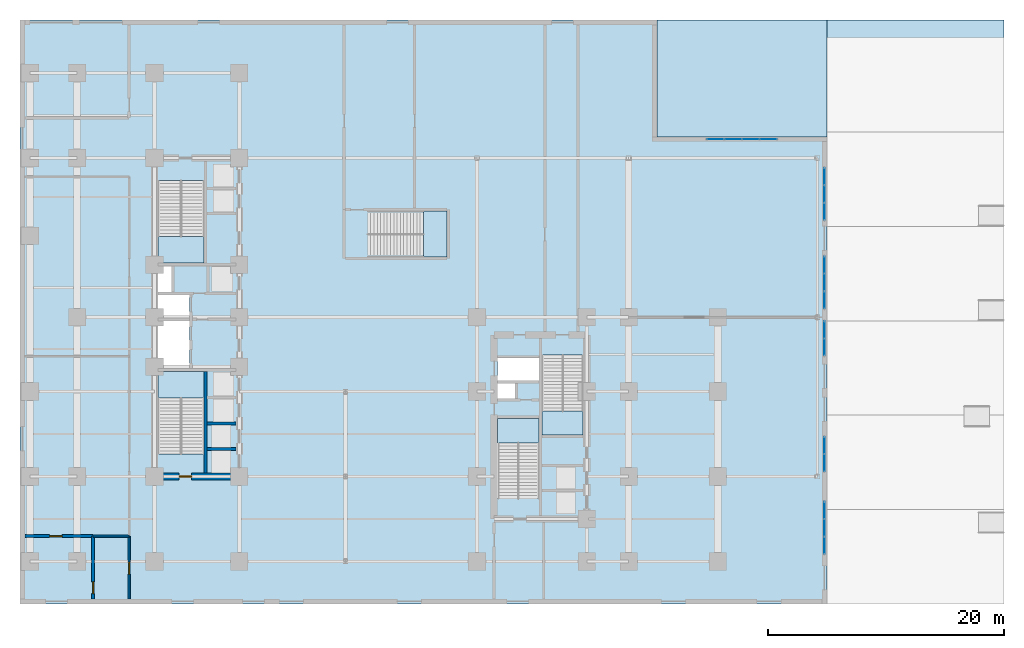
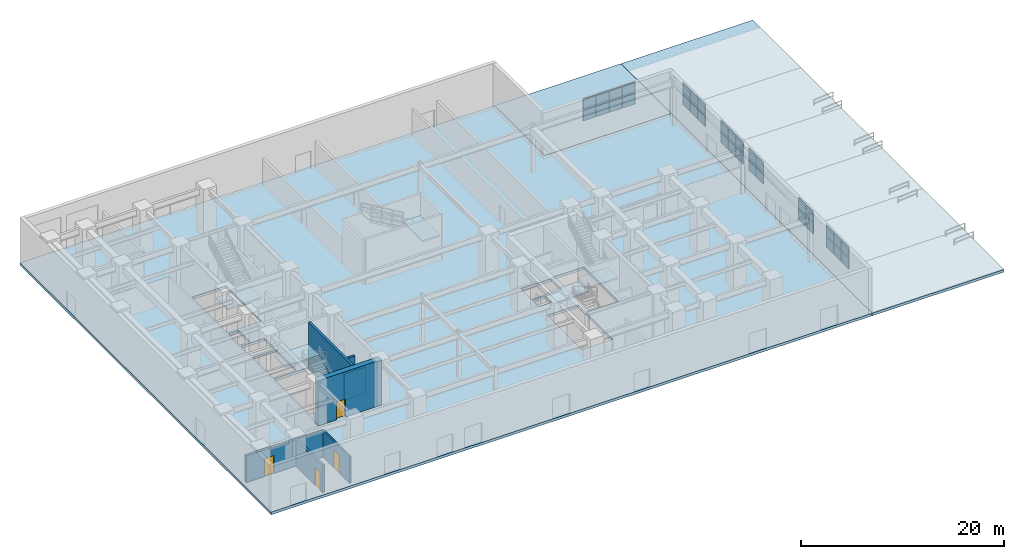
# One storey, part 9 of 18: 34 plates, 8 slabs, 8 walls, 4 doors, 4 openings, 11 elements without a shape of their own.
"""IFC4 building model written with IfcOpenShell, lengths in metres."""

from ifc_helpers import new_model, entity, si_unit, converted_unit, direction, frame, origin_with_axes, origin_2d_with_axis, place, context, subcontext, project, spatial, polyline, rectangle, outline, extrude, material, layer, layer_set, type_object, element, fill, aggregate, save


model = new_model("IFC4")

# Units and contexts
model_context = context("Model", 3, precision=1e-05, world=origin_with_axes(), true_north=direction((0.0, 1.0)))
body_context = subcontext(model_context, "Body", "Model", "MODEL_VIEW")
ifc_project = project(units=[si_unit("LENGTHUNIT", "METRE"), si_unit("AREAUNIT", "SQUARE_METRE"), si_unit("VOLUMEUNIT", "CUBIC_METRE"), converted_unit("PLANEANGLEUNIT", "DEGREE", entity("IfcPlaneAngleMeasure", 0.017453292519943295), si_unit("PLANEANGLEUNIT", "RADIAN"), dimensions=[0, 0, 0, 0, 0, 0, 0]), si_unit("MASSUNIT", "GRAM", prefix="KILO"), si_unit("THERMODYNAMICTEMPERATUREUNIT", "KELVIN")], contexts=[model_context])

# Site, building, storey
site_placement = place(None, origin_with_axes())
site = spatial("IfcSite", under=ifc_project, at=site_placement, CompositionType="ELEMENT")
building_placement = place(site_placement, origin_with_axes())
building = spatial("IfcBuilding", under=site, at=building_placement, Name="Varnlund Millrace Tower", CompositionType="ELEMENT")
storey_placement = place(building_placement, origin_with_axes())
storey = spatial("IfcBuildingStorey", under=building, at=storey_placement, Name="L00", CompositionType="ELEMENT", Elevation=0.0)

# Curtain wall, plates
ifc_material_1 = material(Name="Thermally broken architectural bronze curtain wall", Category="aluminium")
curtain_wall_type = type_object("IfcCurtainWallType", Name="Type-CW-Sys1-Concourse", PredefinedType="NOTDEFINED", material=ifc_material_1)
curtain_wall_1_placement = place(storey_placement, frame((68.19, 8.7, 2.75), z_axis=(0.0, 0.0, 1.0), x_axis=(1.0, 0.0, 0.0)))
curtain_wall_1 = element("IfcCurtainWall", 1, at=curtain_wall_1_placement, inside=storey, type_object=curtain_wall_type, Name="Type-CW-Sys1-Concourse", PredefinedType="NOTDEFINED")
ifc_material_2 = material(Name="Low-e argon triple-glazed curtain-wall unit", Category="glass")
ifc_layer_1 = layer(ifc_material_2, 0.028, Name="Low-e argon triple-glazed curtain-wall unit")
ifc_layer_set_1 = layer_set([ifc_layer_1], Name="Low-e argon triple-glazed curtain-wall unit")
plate_type = type_object("IfcPlateType", Name="Type-CW-Panel-TripleGlazed-28", PredefinedType="CURTAIN_PANEL", material=ifc_layer_set_1)
plate_1_placement = place(storey_placement, frame((68.19, 7.935, 2.81), z_axis=(0.0, 0.0, 1.0), x_axis=(0.0, -1.0, 0.0)))
plate_1 = element("IfcPlate", 2, at=plate_1_placement, type_object=plate_type, Name="CW-01 panel 1.1", PredefinedType="CURTAIN_PANEL", context=body_context, shape_type="SweptSolid", body=[
    extrude(rectangle(XDim=1.41, YDim=0.028, at=origin_2d_with_axis()), origin_with_axes(), (0.0, 0.0, 1.0), 1.265),
])
plate_2_placement = place(storey_placement, frame((68.19, 7.935, 4.135), z_axis=(0.0, 0.0, 1.0), x_axis=(0.0, -1.0, 0.0)))
plate_2 = element("IfcPlate", 3, at=plate_2_placement, type_object=plate_type, Name="CW-01 panel 1.2", PredefinedType="CURTAIN_PANEL", context=body_context, shape_type="SweptSolid", body=[
    extrude(rectangle(XDim=1.41, YDim=0.028, at=origin_2d_with_axis()), origin_with_axes(), (0.0, 0.0, 1.0), 1.265),
])
plate_3_placement = place(storey_placement, frame((68.19, 6.45, 2.81), z_axis=(0.0, 0.0, 1.0), x_axis=(0.0, -1.0, 0.0)))
plate_3 = element("IfcPlate", 4, at=plate_3_placement, type_object=plate_type, Name="CW-01 panel 2.1", PredefinedType="CURTAIN_PANEL", context=body_context, shape_type="SweptSolid", body=[
    extrude(rectangle(XDim=1.44, YDim=0.028, at=origin_2d_with_axis()), origin_with_axes(), (0.0, 0.0, 1.0), 1.265),
])
plate_4_placement = place(storey_placement, frame((68.19, 6.45, 4.135), z_axis=(0.0, 0.0, 1.0), x_axis=(0.0, -1.0, 0.0)))
plate_4 = element("IfcPlate", 5, at=plate_4_placement, type_object=plate_type, Name="CW-01 panel 2.2", PredefinedType="CURTAIN_PANEL", context=body_context, shape_type="SweptSolid", body=[
    extrude(rectangle(XDim=1.44, YDim=0.028, at=origin_2d_with_axis()), origin_with_axes(), (0.0, 0.0, 1.0), 1.265),
])
plate_5_placement = place(storey_placement, frame((68.19, 4.965, 2.81), z_axis=(0.0, 0.0, 1.0), x_axis=(0.0, -1.0, 0.0)))
plate_5 = element("IfcPlate", 6, at=plate_5_placement, type_object=plate_type, Name="CW-01 panel 3.1", PredefinedType="CURTAIN_PANEL", context=body_context, shape_type="SweptSolid", body=[
    extrude(rectangle(XDim=1.41, YDim=0.028, at=origin_2d_with_axis()), origin_with_axes(), (0.0, 0.0, 1.0), 1.265),
])
plate_6_placement = place(storey_placement, frame((68.19, 4.965, 4.135), z_axis=(0.0, 0.0, 1.0), x_axis=(0.0, -1.0, 0.0)))
plate_6 = element("IfcPlate", 7, at=plate_6_placement, type_object=plate_type, Name="CW-01 panel 3.2", PredefinedType="CURTAIN_PANEL", context=body_context, shape_type="SweptSolid", body=[
    extrude(rectangle(XDim=1.41, YDim=0.028, at=origin_2d_with_axis()), origin_with_axes(), (0.0, 0.0, 1.0), 1.265),
])
aggregate(curtain_wall_1, [plate_1, plate_2, plate_3, plate_4, plate_5, plate_6])

curtain_wall_2_placement = place(storey_placement, frame((68.19, 14.2, 2.75), z_axis=(0.0, 0.0, 1.0), x_axis=(1.0, 0.0, 0.0)))
curtain_wall_2 = element("IfcCurtainWall", 8, at=curtain_wall_2_placement, inside=storey, type_object=curtain_wall_type, Name="Type-CW-Sys1-Concourse", PredefinedType="NOTDEFINED")
plate_7_placement = place(storey_placement, frame((68.19, 13.435, 2.81), z_axis=(0.0, 0.0, 1.0), x_axis=(0.0, -1.0, 0.0)))
plate_7 = element("IfcPlate", 9, at=plate_7_placement, type_object=plate_type, Name="CW-01 panel 1.1", PredefinedType="CURTAIN_PANEL", context=body_context, shape_type="SweptSolid", body=[
    extrude(rectangle(XDim=1.41, YDim=0.028, at=origin_2d_with_axis()), origin_with_axes(), (0.0, 0.0, 1.0), 1.265),
])
plate_8_placement = place(storey_placement, frame((68.19, 13.435, 4.135), z_axis=(0.0, 0.0, 1.0), x_axis=(0.0, -1.0, 0.0)))
plate_8 = element("IfcPlate", 10, at=plate_8_placement, type_object=plate_type, Name="CW-01 panel 1.2", PredefinedType="CURTAIN_PANEL", context=body_context, shape_type="SweptSolid", body=[
    extrude(rectangle(XDim=1.41, YDim=0.028, at=origin_2d_with_axis()), origin_with_axes(), (0.0, 0.0, 1.0), 1.265),
])
plate_9_placement = place(storey_placement, frame((68.19, 11.965, 2.81), z_axis=(0.0, 0.0, 1.0), x_axis=(0.0, -1.0, 0.0)))
plate_9 = element("IfcPlate", 11, at=plate_9_placement, type_object=plate_type, Name="CW-01 panel 2.1", PredefinedType="CURTAIN_PANEL", context=body_context, shape_type="SweptSolid", body=[
    extrude(rectangle(XDim=1.41, YDim=0.028, at=origin_2d_with_axis()), origin_with_axes(), (0.0, 0.0, 1.0), 1.265),
])
plate_10_placement = place(storey_placement, frame((68.19, 11.965, 4.135), z_axis=(0.0, 0.0, 1.0), x_axis=(0.0, -1.0, 0.0)))
plate_10 = element("IfcPlate", 12, at=plate_10_placement, type_object=plate_type, Name="CW-01 panel 2.2", PredefinedType="CURTAIN_PANEL", context=body_context, shape_type="SweptSolid", body=[
    extrude(rectangle(XDim=1.41, YDim=0.028, at=origin_2d_with_axis()), origin_with_axes(), (0.0, 0.0, 1.0), 1.265),
])
aggregate(curtain_wall_2, [plate_7, plate_8, plate_9, plate_10])

curtain_wall_3_placement = place(storey_placement, frame((68.19, 24.0, 2.75), z_axis=(0.0, 0.0, 1.0), x_axis=(1.0, 0.0, 0.0)))
curtain_wall_3 = element("IfcCurtainWall", 13, at=curtain_wall_3_placement, inside=storey, type_object=curtain_wall_type, Name="Type-CW-Sys1-Concourse", PredefinedType="NOTDEFINED")
plate_11_placement = place(storey_placement, frame((68.19, 23.235, 2.81), z_axis=(0.0, 0.0, 1.0), x_axis=(0.0, -1.0, 0.0)))
plate_11 = element("IfcPlate", 14, at=plate_11_placement, type_object=plate_type, Name="CW-01 panel 1.1", PredefinedType="CURTAIN_PANEL", context=body_context, shape_type="SweptSolid", body=[
    extrude(rectangle(XDim=1.41, YDim=0.028, at=origin_2d_with_axis()), origin_with_axes(), (0.0, 0.0, 1.0), 1.265),
])
plate_12_placement = place(storey_placement, frame((68.19, 23.235, 4.135), z_axis=(0.0, 0.0, 1.0), x_axis=(0.0, -1.0, 0.0)))
plate_12 = element("IfcPlate", 15, at=plate_12_placement, type_object=plate_type, Name="CW-01 panel 1.2", PredefinedType="CURTAIN_PANEL", context=body_context, shape_type="SweptSolid", body=[
    extrude(rectangle(XDim=1.41, YDim=0.028, at=origin_2d_with_axis()), origin_with_axes(), (0.0, 0.0, 1.0), 1.265),
])
plate_13_placement = place(storey_placement, frame((68.19, 21.765, 2.81), z_axis=(0.0, 0.0, 1.0), x_axis=(0.0, -1.0, 0.0)))
plate_13 = element("IfcPlate", 16, at=plate_13_placement, type_object=plate_type, Name="CW-01 panel 2.1", PredefinedType="CURTAIN_PANEL", context=body_context, shape_type="SweptSolid", body=[
    extrude(rectangle(XDim=1.41, YDim=0.028, at=origin_2d_with_axis()), origin_with_axes(), (0.0, 0.0, 1.0), 1.265),
])
plate_14_placement = place(storey_placement, frame((68.19, 21.765, 4.135), z_axis=(0.0, 0.0, 1.0), x_axis=(0.0, -1.0, 0.0)))
plate_14 = element("IfcPlate", 17, at=plate_14_placement, type_object=plate_type, Name="CW-01 panel 2.2", PredefinedType="CURTAIN_PANEL", context=body_context, shape_type="SweptSolid", body=[
    extrude(rectangle(XDim=1.41, YDim=0.028, at=origin_2d_with_axis()), origin_with_axes(), (0.0, 0.0, 1.0), 1.265),
])
aggregate(curtain_wall_3, [plate_11, plate_12, plate_13, plate_14])

curtain_wall_4_placement = place(storey_placement, frame((68.19, 29.5, 2.75), z_axis=(0.0, 0.0, 1.0), x_axis=(1.0, 0.0, 0.0)))
curtain_wall_4 = element("IfcCurtainWall", 18, at=curtain_wall_4_placement, inside=storey, type_object=curtain_wall_type, Name="Type-CW-Sys1-Concourse", PredefinedType="NOTDEFINED")
plate_15_placement = place(storey_placement, frame((68.19, 28.735, 2.81), z_axis=(0.0, 0.0, 1.0), x_axis=(0.0, -1.0, 0.0)))
plate_15 = element("IfcPlate", 19, at=plate_15_placement, type_object=plate_type, Name="CW-01 panel 1.1", PredefinedType="CURTAIN_PANEL", context=body_context, shape_type="SweptSolid", body=[
    extrude(rectangle(XDim=1.41, YDim=0.028, at=origin_2d_with_axis()), origin_with_axes(), (0.0, 0.0, 1.0), 1.265),
])
plate_16_placement = place(storey_placement, frame((68.19, 28.735, 4.135), z_axis=(0.0, 0.0, 1.0), x_axis=(0.0, -1.0, 0.0)))
plate_16 = element("IfcPlate", 20, at=plate_16_placement, type_object=plate_type, Name="CW-01 panel 1.2", PredefinedType="CURTAIN_PANEL", context=body_context, shape_type="SweptSolid", body=[
    extrude(rectangle(XDim=1.41, YDim=0.028, at=origin_2d_with_axis()), origin_with_axes(), (0.0, 0.0, 1.0), 1.265),
])
plate_17_placement = place(storey_placement, frame((68.19, 27.25, 2.81), z_axis=(0.0, 0.0, 1.0), x_axis=(0.0, -1.0, 0.0)))
plate_17 = element("IfcPlate", 21, at=plate_17_placement, type_object=plate_type, Name="CW-01 panel 2.1", PredefinedType="CURTAIN_PANEL", context=body_context, shape_type="SweptSolid", body=[
    extrude(rectangle(XDim=1.44, YDim=0.028, at=origin_2d_with_axis()), origin_with_axes(), (0.0, 0.0, 1.0), 1.265),
])
plate_18_placement = place(storey_placement, frame((68.19, 27.25, 4.135), z_axis=(0.0, 0.0, 1.0), x_axis=(0.0, -1.0, 0.0)))
plate_18 = element("IfcPlate", 22, at=plate_18_placement, type_object=plate_type, Name="CW-01 panel 2.2", PredefinedType="CURTAIN_PANEL", context=body_context, shape_type="SweptSolid", body=[
    extrude(rectangle(XDim=1.44, YDim=0.028, at=origin_2d_with_axis()), origin_with_axes(), (0.0, 0.0, 1.0), 1.265),
])
plate_19_placement = place(storey_placement, frame((68.19, 25.765, 2.81), z_axis=(0.0, 0.0, 1.0), x_axis=(0.0, -1.0, 0.0)))
plate_19 = element("IfcPlate", 23, at=plate_19_placement, type_object=plate_type, Name="CW-01 panel 3.1", PredefinedType="CURTAIN_PANEL", context=body_context, shape_type="SweptSolid", body=[
    extrude(rectangle(XDim=1.41, YDim=0.028, at=origin_2d_with_axis()), origin_with_axes(), (0.0, 0.0, 1.0), 1.265),
])
plate_20_placement = place(storey_placement, frame((68.19, 25.765, 4.135), z_axis=(0.0, 0.0, 1.0), x_axis=(0.0, -1.0, 0.0)))
plate_20 = element("IfcPlate", 24, at=plate_20_placement, type_object=plate_type, Name="CW-01 panel 3.2", PredefinedType="CURTAIN_PANEL", context=body_context, shape_type="SweptSolid", body=[
    extrude(rectangle(XDim=1.41, YDim=0.028, at=origin_2d_with_axis()), origin_with_axes(), (0.0, 0.0, 1.0), 1.265),
])
aggregate(curtain_wall_4, [plate_15, plate_16, plate_17, plate_18, plate_19, plate_20])

curtain_wall_5_placement = place(storey_placement, frame((68.19, 37.0, 2.75), z_axis=(0.0, 0.0, 1.0), x_axis=(1.0, 0.0, 0.0)))
curtain_wall_5 = element("IfcCurtainWall", 25, at=curtain_wall_5_placement, inside=storey, type_object=curtain_wall_type, Name="Type-CW-Sys1-Concourse", PredefinedType="NOTDEFINED")
plate_21_placement = place(storey_placement, frame((68.19, 36.235, 2.81), z_axis=(0.0, 0.0, 1.0), x_axis=(0.0, -1.0, 0.0)))
plate_21 = element("IfcPlate", 26, at=plate_21_placement, type_object=plate_type, Name="CW-01 panel 1.1", PredefinedType="CURTAIN_PANEL", context=body_context, shape_type="SweptSolid", body=[
    extrude(rectangle(XDim=1.41, YDim=0.028, at=origin_2d_with_axis()), origin_with_axes(), (0.0, 0.0, 1.0), 1.265),
])
plate_22_placement = place(storey_placement, frame((68.19, 36.235, 4.135), z_axis=(0.0, 0.0, 1.0), x_axis=(0.0, -1.0, 0.0)))
plate_22 = element("IfcPlate", 27, at=plate_22_placement, type_object=plate_type, Name="CW-01 panel 1.2", PredefinedType="CURTAIN_PANEL", context=body_context, shape_type="SweptSolid", body=[
    extrude(rectangle(XDim=1.41, YDim=0.028, at=origin_2d_with_axis()), origin_with_axes(), (0.0, 0.0, 1.0), 1.265),
])
plate_23_placement = place(storey_placement, frame((68.19, 34.75, 2.81), z_axis=(0.0, 0.0, 1.0), x_axis=(0.0, -1.0, 0.0)))
plate_23 = element("IfcPlate", 28, at=plate_23_placement, type_object=plate_type, Name="CW-01 panel 2.1", PredefinedType="CURTAIN_PANEL", context=body_context, shape_type="SweptSolid", body=[
    extrude(rectangle(XDim=1.44, YDim=0.028, at=origin_2d_with_axis()), origin_with_axes(), (0.0, 0.0, 1.0), 1.265),
])
plate_24_placement = place(storey_placement, frame((68.19, 34.75, 4.135), z_axis=(0.0, 0.0, 1.0), x_axis=(0.0, -1.0, 0.0)))
plate_24 = element("IfcPlate", 29, at=plate_24_placement, type_object=plate_type, Name="CW-01 panel 2.2", PredefinedType="CURTAIN_PANEL", context=body_context, shape_type="SweptSolid", body=[
    extrude(rectangle(XDim=1.44, YDim=0.028, at=origin_2d_with_axis()), origin_with_axes(), (0.0, 0.0, 1.0), 1.265),
])
plate_25_placement = place(storey_placement, frame((68.19, 33.265, 2.81), z_axis=(0.0, 0.0, 1.0), x_axis=(0.0, -1.0, 0.0)))
plate_25 = element("IfcPlate", 30, at=plate_25_placement, type_object=plate_type, Name="CW-01 panel 3.1", PredefinedType="CURTAIN_PANEL", context=body_context, shape_type="SweptSolid", body=[
    extrude(rectangle(XDim=1.41, YDim=0.028, at=origin_2d_with_axis()), origin_with_axes(), (0.0, 0.0, 1.0), 1.265),
])
plate_26_placement = place(storey_placement, frame((68.19, 33.265, 4.135), z_axis=(0.0, 0.0, 1.0), x_axis=(0.0, -1.0, 0.0)))
plate_26 = element("IfcPlate", 31, at=plate_26_placement, type_object=plate_type, Name="CW-01 panel 3.2", PredefinedType="CURTAIN_PANEL", context=body_context, shape_type="SweptSolid", body=[
    extrude(rectangle(XDim=1.41, YDim=0.028, at=origin_2d_with_axis()), origin_with_axes(), (0.0, 0.0, 1.0), 1.265),
])
aggregate(curtain_wall_5, [plate_21, plate_22, plate_23, plate_24, plate_25, plate_26])

curtain_wall_6_placement = place(storey_placement, frame((58.2, 39.39, 2.75), z_axis=(0.0, 0.0, 1.0), x_axis=(1.0, 0.0, 0.0)))
curtain_wall_6 = element("IfcCurtainWall", 32, at=curtain_wall_6_placement, inside=storey, type_object=curtain_wall_type, Name="Type-CW-Sys1-Concourse", PredefinedType="NOTDEFINED")
plate_27_placement = place(storey_placement, frame((58.965, 39.39, 2.81), z_axis=(0.0, 0.0, 1.0), x_axis=(1.0, 0.0, 0.0)))
plate_27 = element("IfcPlate", 33, at=plate_27_placement, type_object=plate_type, Name="CW-01 panel 1.1", PredefinedType="CURTAIN_PANEL", context=body_context, shape_type="SweptSolid", body=[
    extrude(rectangle(XDim=1.41, YDim=0.028, at=origin_2d_with_axis()), origin_with_axes(), (0.0, 0.0, 1.0), 1.265),
])
plate_28_placement = place(storey_placement, frame((58.965, 39.39, 4.135), z_axis=(0.0, 0.0, 1.0), x_axis=(1.0, 0.0, 0.0)))
plate_28 = element("IfcPlate", 34, at=plate_28_placement, type_object=plate_type, Name="CW-01 panel 1.2", PredefinedType="CURTAIN_PANEL", context=body_context, shape_type="SweptSolid", body=[
    extrude(rectangle(XDim=1.41, YDim=0.028, at=origin_2d_with_axis()), origin_with_axes(), (0.0, 0.0, 1.0), 1.265),
])
plate_29_placement = place(storey_placement, frame((60.45, 39.39, 2.81), z_axis=(0.0, 0.0, 1.0), x_axis=(1.0, 0.0, 0.0)))
plate_29 = element("IfcPlate", 35, at=plate_29_placement, type_object=plate_type, Name="CW-01 panel 2.1", PredefinedType="CURTAIN_PANEL", context=body_context, shape_type="SweptSolid", body=[
    extrude(rectangle(XDim=1.44, YDim=0.028, at=origin_2d_with_axis()), origin_with_axes(), (0.0, 0.0, 1.0), 1.265),
])
plate_30_placement = place(storey_placement, frame((60.45, 39.39, 4.135), z_axis=(0.0, 0.0, 1.0), x_axis=(1.0, 0.0, 0.0)))
plate_30 = element("IfcPlate", 36, at=plate_30_placement, type_object=plate_type, Name="CW-01 panel 2.2", PredefinedType="CURTAIN_PANEL", context=body_context, shape_type="SweptSolid", body=[
    extrude(rectangle(XDim=1.44, YDim=0.028, at=origin_2d_with_axis()), origin_with_axes(), (0.0, 0.0, 1.0), 1.265),
])
plate_31_placement = place(storey_placement, frame((61.95, 39.39, 2.81), z_axis=(0.0, 0.0, 1.0), x_axis=(1.0, 0.0, 0.0)))
plate_31 = element("IfcPlate", 37, at=plate_31_placement, type_object=plate_type, Name="CW-01 panel 3.1", PredefinedType="CURTAIN_PANEL", context=body_context, shape_type="SweptSolid", body=[
    extrude(rectangle(XDim=1.44, YDim=0.028, at=origin_2d_with_axis()), origin_with_axes(), (0.0, 0.0, 1.0), 1.265),
])
plate_32_placement = place(storey_placement, frame((61.95, 39.39, 4.135), z_axis=(0.0, 0.0, 1.0), x_axis=(1.0, 0.0, 0.0)))
plate_32 = element("IfcPlate", 38, at=plate_32_placement, type_object=plate_type, Name="CW-01 panel 3.2", PredefinedType="CURTAIN_PANEL", context=body_context, shape_type="SweptSolid", body=[
    extrude(rectangle(XDim=1.44, YDim=0.028, at=origin_2d_with_axis()), origin_with_axes(), (0.0, 0.0, 1.0), 1.265),
])
plate_33_placement = place(storey_placement, frame((63.435, 39.39, 2.81), z_axis=(0.0, 0.0, 1.0), x_axis=(1.0, 0.0, 0.0)))
plate_33 = element("IfcPlate", 39, at=plate_33_placement, type_object=plate_type, Name="CW-01 panel 4.1", PredefinedType="CURTAIN_PANEL", context=body_context, shape_type="SweptSolid", body=[
    extrude(rectangle(XDim=1.41, YDim=0.028, at=origin_2d_with_axis()), origin_with_axes(), (0.0, 0.0, 1.0), 1.265),
])
plate_34_placement = place(storey_placement, frame((63.435, 39.39, 4.135), z_axis=(0.0, 0.0, 1.0), x_axis=(1.0, 0.0, 0.0)))
plate_34 = element("IfcPlate", 40, at=plate_34_placement, type_object=plate_type, Name="CW-01 panel 4.2", PredefinedType="CURTAIN_PANEL", context=body_context, shape_type="SweptSolid", body=[
    extrude(rectangle(XDim=1.41, YDim=0.028, at=origin_2d_with_axis()), origin_with_axes(), (0.0, 0.0, 1.0), 1.265),
])
aggregate(curtain_wall_6, [plate_27, plate_28, plate_29, plate_30, plate_31, plate_32, plate_33, plate_34])

# Slabs
ifc_material_3 = material(Name="Concrete C60/75", Category="concrete")
ifc_layer_2 = layer(ifc_material_3, 0.32, Name="Concrete C60/75")
ifc_layer_set_2 = layer_set([ifc_layer_2], Name="Concrete C60/75")
slab_type_1 = type_object("IfcSlabType", Name="Type-Deck-Plate-Promenade-320", PredefinedType="FLOOR", material=ifc_layer_set_2)
slab_1_placement = place(storey_placement, frame((0.0, 0.0, -0.32), z_axis=(0.0, 0.0, 1.0), x_axis=(1.0, 0.0, 0.0)))
element("IfcSlab", 41, at=slab_1_placement, inside=storey, type_object=slab_type_1, Name="Type-Deck-Plate-Promenade-320", PredefinedType="FLOOR", context=body_context, shape_type="SweptSolid", body=[
    extrude(outline(polyline([(83.4, 0.0), (83.4, 49.5), (68.4, 49.5), (68.4, 0.0), (83.4, 0.0)])), origin_with_axes(), (0.0, 0.0, 1.0), 0.32),
])
slab_2_placement = place(storey_placement, frame((0.0, 0.0, -0.32), z_axis=(0.0, 0.0, 1.0), x_axis=(1.0, 0.0, 0.0)))
element("IfcSlab", 42, at=slab_2_placement, inside=storey, type_object=slab_type_1, Name="Type-Deck-Plate-Promenade-320", PredefinedType="FLOOR", context=body_context, shape_type="SweptSolid", body=[
    extrude(outline(polyline([(68.4, 39.6), (68.4, 49.5), (54.0, 49.5), (54.0, 39.6), (68.4, 39.6)])), origin_with_axes(), (0.0, 0.0, 1.0), 0.32),
])
slab_type_2 = type_object("IfcSlabType", Name="Type-Deck-Plate-Subgrade-320", PredefinedType="FLOOR", material=ifc_layer_set_2)
slab_3_placement = place(storey_placement, frame((0.0, 0.0, -0.32), z_axis=(0.0, 0.0, 1.0), x_axis=(1.0, 0.0, 0.0)))
element("IfcSlab", 43, at=slab_3_placement, inside=storey, type_object=slab_type_2, Name="Type-Deck-Plate-Subgrade-320", PredefinedType="FLOOR", context=body_context, shape_type="SweptSolid", body=[
    extrude(outline(polyline([(68.4, 39.6), (54.0, 39.6), (54.0, 49.5), (0.0, 49.5), (0.0, 0.0), (68.4, 0.0), (68.4, 39.6)]), holes=[polyline([(44.0, 15.7), (44.0, 8.915), (40.5, 8.915), (40.5, 15.7), (44.0, 15.7)]), polyline([(15.6, 19.7), (15.6, 12.715), (11.7, 12.715), (11.7, 19.7), (15.6, 19.7)]), polyline([(47.75, 21.085), (47.75, 14.3), (44.25, 14.3), (44.25, 21.085), (47.75, 21.085)]), polyline([(41.95, 17.42), (40.5, 17.42), (40.5, 18.72), (41.95, 18.72), (41.95, 17.42)]), polyline([(44.0, 18.88), (40.5, 18.88), (40.5, 20.94), (44.0, 20.94), (44.0, 18.88)]), polyline([(11.7, 19.94), (11.7, 23.98), (14.38, 23.98), (14.38, 19.94), (11.7, 19.94)]), polyline([(14.38, 26.2), (14.38, 24.24), (11.7, 24.24), (11.7, 26.2), (14.38, 26.2)]), polyline([(12.84, 26.46), (11.7, 26.46), (11.7, 28.65), (12.84, 28.65), (12.84, 26.46)]), polyline([(15.6, 28.9), (11.7, 28.9), (11.7, 35.885), (15.6, 35.885), (15.6, 28.9)])]), origin_with_axes(), (0.0, 0.0, 1.0), 0.32),
])

# Stair, slab
ifc_material_4 = material(Name="Concrete C50/60", Category="concrete")
stair_type_1 = type_object("IfcStairType", Name="Type-Stair-Dogleg-185-570", PredefinedType="HALF_TURN_STAIR", material=ifc_material_4)
stair_1_placement = place(storey_placement, origin_with_axes())
stair_1 = element("IfcStair", 44, at=stair_1_placement, inside=storey, type_object=stair_type_1, Name="Type-Stair-Dogleg-185-570", PredefinedType="HALF_TURN_STAIR")
ifc_layer_3 = layer(ifc_material_4, 0.2, Name="Concrete C50/60")
ifc_layer_set_3 = layer_set([ifc_layer_3], Name="Concrete C50/60")
slab_type_3 = type_object("IfcSlabType", Name="Type-StairLanding-200", PredefinedType="LANDING", material=ifc_layer_set_3)
slab_4_placement = place(storey_placement, frame((0.0, 0.0, 2.65), z_axis=(0.0, 0.0, 1.0), x_axis=(1.0, 0.0, 0.0)))
slab_4 = element("IfcSlab", 45, at=slab_4_placement, type_object=slab_type_3, Name="ST-A1 landing 1", PredefinedType="LANDING", context=body_context, shape_type="SweptSolid", body=[
    extrude(outline(polyline([(15.6, 17.46), (15.6, 19.7), (11.7, 19.7), (11.7, 17.46), (15.6, 17.46)])), origin_with_axes(), (0.0, 0.0, 1.0), 0.2),
])
aggregate(stair_1, [slab_4])

stair_2_placement = place(storey_placement, origin_with_axes())
stair_2 = element("IfcStair", 46, at=stair_2_placement, inside=storey, type_object=stair_type_1, Name="Type-Stair-Dogleg-185-570", PredefinedType="HALF_TURN_STAIR")
slab_5_placement = place(storey_placement, frame((0.0, 0.0, 2.65), z_axis=(0.0, 0.0, 1.0), x_axis=(1.0, 0.0, 0.0)))
slab_5 = element("IfcSlab", 47, at=slab_5_placement, type_object=slab_type_3, Name="ST-A2 landing 1", PredefinedType="LANDING", context=body_context, shape_type="SweptSolid", body=[
    extrude(outline(polyline([(11.7, 31.14), (11.7, 28.9), (15.6, 28.9), (15.6, 31.14), (11.7, 31.14)])), origin_with_axes(), (0.0, 0.0, 1.0), 0.2),
])
aggregate(stair_2, [slab_5])

stair_type_2 = type_object("IfcStairType", Name="Type-Stair-Dogleg-165-570", PredefinedType="HALF_TURN_STAIR", material=ifc_material_4)
stair_3_placement = place(storey_placement, origin_with_axes())
stair_3 = element("IfcStair", 48, at=stair_3_placement, inside=storey, type_object=stair_type_2, Name="Type-Stair-Dogleg-165-570", PredefinedType="HALF_TURN_STAIR")
slab_6_placement = place(storey_placement, frame((0.0, 0.0, 2.65), z_axis=(0.0, 0.0, 1.0), x_axis=(1.0, 0.0, 0.0)))
slab_6 = element("IfcSlab", 49, at=slab_6_placement, type_object=slab_type_3, Name="ST-B1 landing 1", PredefinedType="LANDING", context=body_context, shape_type="SweptSolid", body=[
    extrude(outline(polyline([(44.0, 13.66), (44.0, 15.7), (40.5, 15.7), (40.5, 13.66), (44.0, 13.66)])), origin_with_axes(), (0.0, 0.0, 1.0), 0.2),
])
aggregate(stair_3, [slab_6])

stair_4_placement = place(storey_placement, origin_with_axes())
stair_4 = element("IfcStair", 50, at=stair_4_placement, inside=storey, type_object=stair_type_2, Name="Type-Stair-Dogleg-165-570", PredefinedType="HALF_TURN_STAIR")
slab_7_placement = place(storey_placement, frame((0.0, 0.0, 2.65), z_axis=(0.0, 0.0, 1.0), x_axis=(1.0, 0.0, 0.0)))
slab_7 = element("IfcSlab", 51, at=slab_7_placement, type_object=slab_type_3, Name="ST-B2 landing 1", PredefinedType="LANDING", context=body_context, shape_type="SweptSolid", body=[
    extrude(outline(polyline([(44.25, 16.34), (44.25, 14.3), (47.75, 14.3), (47.75, 16.34), (44.25, 16.34)])), origin_with_axes(), (0.0, 0.0, 1.0), 0.2),
])
aggregate(stair_4, [slab_7])

stair_5_placement = place(storey_placement, origin_with_axes())
stair_5 = element("IfcStair", 52, at=stair_5_placement, inside=storey, type_object=stair_type_1, Name="Type-Stair-Dogleg-185-570", PredefinedType="HALF_TURN_STAIR")
slab_8_placement = place(storey_placement, frame((0.0, 0.0, 2.65), z_axis=(0.0, 0.0, 1.0), x_axis=(1.0, 0.0, 0.0)))
slab_8 = element("IfcSlab", 53, at=slab_8_placement, type_object=slab_type_3, Name="ST-P1 landing 1", PredefinedType="LANDING", context=body_context, shape_type="SweptSolid", body=[
    extrude(outline(polyline([(34.21, 29.4), (36.2, 29.4), (36.2, 33.3), (34.21, 33.3), (34.21, 29.4)])), origin_with_axes(), (0.0, 0.0, 1.0), 0.2),
])
aggregate(stair_5, [slab_8])

# Wall, opening, door
ifc_material_5 = material(Name="Concrete C80/95", Category="concrete")
ifc_layer_4 = layer(ifc_material_5, 0.6, Name="Concrete C80/95")
ifc_layer_set_4 = layer_set([ifc_layer_4], Name="Concrete C80/95")
wall_type_1 = type_object("IfcWallType", Name="Type-CoreWall-Shear-600-C80", PredefinedType="SHEAR", material=ifc_layer_set_4)
wall_1_placement = place(storey_placement, frame((18.6, 10.8, 0.0), z_axis=(0.0, 0.0, 1.0), x_axis=(-1.0, 0.0, 0.0)))
wall_1 = element("IfcWall", 54, at=wall_1_placement, inside=storey, type_object=wall_type_1, Name="Type-CoreWall-Shear-600-C80", PredefinedType="SHEAR", context=body_context, shape_type="SweptSolid", body=[
    extrude(outline(polyline([(0.0, -0.3), (7.2, -0.3), (7.2, 0.3), (0.0, 0.3), (0.0, -0.3)])), origin_with_axes(), (0.0, 0.0, 1.0), 5.46),
])
opening_1_placement = place(wall_1_placement, frame((4.575, 0.0, 0.0), z_axis=(0.0, 0.0, 1.0), x_axis=(1.0, 0.0, 0.0)))
opening_1 = element("IfcOpeningElement", 55, at=opening_1_placement, cuts=wall_1, Name="Opening L00:DR-STA1", PredefinedType="OPENING", context=body_context, shape_type="SweptSolid", body=[
    extrude(rectangle(XDim=1.05, YDim=0.62, at=origin_2d_with_axis()), origin_with_axes(), (0.0, 0.0, 1.0), 2.15),
])
ifc_material_6 = material(Name="Fire-rated hollow steel door", Category="steel")
door_type_1 = type_object("IfcDoorType", Name="Type-FireDoor-Stair-1050X2150", OperationType="NOTDEFINED", PredefinedType="DOOR", material=ifc_material_6)
door_1_placement = place(wall_1_placement, frame((4.575, 0.0, 0.0), z_axis=(0.0, 0.0, 1.0), x_axis=(1.0, 0.0, 0.0)))
door_1 = element("IfcDoor", 56, at=door_1_placement, inside=storey, type_object=door_type_1, Name="Type-FireDoor-Stair-1050X2150", OperationType="SINGLE_SWING_RIGHT", OverallHeight=2.15, OverallWidth=1.05, PredefinedType="DOOR", context=body_context, shape_type="SweptSolid", body=[
    extrude(rectangle(XDim=1.05, YDim=0.09, at=origin_2d_with_axis()), origin_with_axes(), (0.0, 0.0, 1.0), 2.15),
])
fill(opening_1, door_1)

ifc_material_7 = material(Name="Fire-rated gypsum board on cold-formed steel framing", Category="steel")
ifc_layer_5 = layer(ifc_material_7, 0.16, Name="Fire-rated gypsum board on cold-formed steel framing")
ifc_layer_set_5 = layer_set([ifc_layer_5], Name="Fire-rated gypsum board on cold-formed steel framing")
wall_type_2 = type_object("IfcWallType", Name="Type-Partition-Corridor-160", PredefinedType="PARTITIONING", material=ifc_layer_set_5)
wall_2_placement = place(storey_placement, frame((9.25, 0.42, 0.0), z_axis=(0.0, 0.0, 1.0), x_axis=(0.0, 1.0, 0.0)))
wall_2 = element("IfcWall", 57, at=wall_2_placement, inside=storey, type_object=wall_type_2, Name="Type-Partition-Corridor-160", PredefinedType="PARTITIONING", context=body_context, shape_type="SweptSolid", body=[
    extrude(outline(polyline([(0.0, -0.08), (5.33, -0.08), (5.33, 0.08), (0.0, 0.08), (0.0, -0.08)])), origin_with_axes(), (0.0, 0.0, 1.0), 3.2),
])
opening_2_placement = place(wall_2_placement, frame((2.6, 0.0, 0.0), z_axis=(0.0, 0.0, 1.0), x_axis=(1.0, 0.0, 0.0)))
opening_2 = element("IfcOpeningElement", 58, at=opening_2_placement, cuts=wall_2, Name="Opening L00:DR-SEC-COR", PredefinedType="OPENING", context=body_context, shape_type="SweptSolid", body=[
    extrude(rectangle(XDim=1.0, YDim=0.18, at=origin_2d_with_axis()), origin_with_axes(), (0.0, 0.0, 1.0), 2.15),
])
ifc_material_8 = material(Name="Solid-core white oak and bronze frame door")
door_type_2 = type_object("IfcDoorType", Name="Type-IntDoor-Office-1000X2150", OperationType="NOTDEFINED", PredefinedType="DOOR", material=ifc_material_8)
door_2_placement = place(wall_2_placement, frame((2.6, 0.0, 0.0), z_axis=(0.0, 0.0, 1.0), x_axis=(1.0, 0.0, 0.0)))
door_2 = element("IfcDoor", 59, at=door_2_placement, inside=storey, type_object=door_type_2, Name="Type-IntDoor-Office-1000X2150", OperationType="SINGLE_SWING_RIGHT", OverallHeight=2.15, OverallWidth=1.0, PredefinedType="DOOR", context=body_context, shape_type="SweptSolid", body=[
    extrude(rectangle(XDim=1.0, YDim=0.09, at=origin_2d_with_axis()), origin_with_axes(), (0.0, 0.0, 1.0), 2.15),
])
fill(opening_2, door_2)

# Walls
wall_3_placement = place(storey_placement, frame((6.2, 5.75, 0.0), z_axis=(0.0, 0.0, 1.0), x_axis=(1.0, 0.0, 0.0)))
element("IfcWall", 60, at=wall_3_placement, inside=storey, type_object=wall_type_2, Name="Type-Partition-Corridor-160", PredefinedType="PARTITIONING", context=body_context, shape_type="SweptSolid", body=[
    extrude(outline(polyline([(0.0, -0.08), (3.05, -0.08), (3.05, 0.08), (0.0, 0.08), (0.0, -0.08)])), origin_with_axes(), (0.0, 0.0, 1.0), 3.2),
])
ifc_layer_6 = layer(ifc_material_3, 0.25, Name="Concrete C60/75")
ifc_layer_set_6 = layer_set([ifc_layer_6], Name="Concrete C60/75")
wall_type_3 = type_object("IfcWallType", Name="Type-ShaftWall-Fire-250", PredefinedType="SOLIDWALL", material=ifc_layer_set_6)
for number, where, z_axis, x_axis, name in (
    (61, (15.84, 13.13, 0.0), (0.0, 0.0, 1.0), (1.0, 0.0, 0.0), "Type-ShaftWall-Fire-250"),
    (62, (15.84, 15.29, 0.0), (0.0, 0.0, 1.0), (1.0, 0.0, 0.0), "Type-ShaftWall-Fire-250"),
):
    element("IfcWall", number, at=place(storey_placement, frame(where, z_axis=z_axis, x_axis=x_axis)), inside=storey, type_object=wall_type_3, Name=name, PredefinedType="SOLIDWALL", context=body_context, shape_type="SweptSolid", body=[
        extrude(outline(polyline([(0.0, -0.125), (2.46, -0.125), (2.46, 0.125), (0.0, 0.125), (0.0, -0.125)])), origin_with_axes(), (0.0, 0.0, 1.0), 3.2),
    ])

# Wall, opening, door
wall_4_placement = place(storey_placement, frame((0.42, 5.75, 0.0), z_axis=(0.0, 0.0, 1.0), x_axis=(1.0, 0.0, 0.0)))
wall_4 = element("IfcWall", 63, at=wall_4_placement, inside=storey, type_object=wall_type_3, Name="Type-ShaftWall-Fire-250", PredefinedType="SOLIDWALL", context=body_context, shape_type="SweptSolid", body=[
    extrude(outline(polyline([(0.0, -0.125), (5.78, -0.125), (5.78, 0.125), (0.0, 0.125), (0.0, -0.125)])), origin_with_axes(), (0.0, 0.0, 1.0), 3.2),
])
opening_3_placement = place(wall_4_placement, frame((2.625, 0.0, 0.0), z_axis=(0.0, 0.0, 1.0), x_axis=(1.0, 0.0, 0.0)))
opening_3 = element("IfcOpeningElement", 64, at=opening_3_placement, cuts=wall_4, Name="Opening L00:DR-FCC-INT", PredefinedType="OPENING", context=body_context, shape_type="SweptSolid", body=[
    extrude(rectangle(XDim=1.05, YDim=0.27, at=origin_2d_with_axis()), origin_with_axes(), (0.0, 0.0, 1.0), 2.15),
])
ifc_material_9 = material(Name="Smoke-barrier hollow steel fire door", Category="steel")
door_type_3 = type_object("IfcDoorType", Name="Type-FireDoor-Lobby-1050X2150", OperationType="NOTDEFINED", PredefinedType="DOOR", material=ifc_material_9)
door_3_placement = place(wall_4_placement, frame((2.625, 0.0, 0.0), z_axis=(0.0, 0.0, 1.0), x_axis=(1.0, 0.0, 0.0)))
door_3 = element("IfcDoor", 65, at=door_3_placement, inside=storey, type_object=door_type_3, Name="Type-FireDoor-Lobby-1050X2150", OperationType="SINGLE_SWING_LEFT", OverallHeight=2.15, OverallWidth=1.05, PredefinedType="DOOR", context=body_context, shape_type="SweptSolid", body=[
    extrude(rectangle(XDim=1.05, YDim=0.09, at=origin_2d_with_axis()), origin_with_axes(), (0.0, 0.0, 1.0), 2.15),
])
fill(opening_3, door_3)

wall_5_placement = place(storey_placement, frame((6.2, 0.42, 0.0), z_axis=(0.0, 0.0, 1.0), x_axis=(0.0, 1.0, 0.0)))
wall_5 = element("IfcWall", 66, at=wall_5_placement, inside=storey, type_object=wall_type_3, Name="Type-ShaftWall-Fire-250", PredefinedType="SOLIDWALL", context=body_context, shape_type="SweptSolid", body=[
    extrude(outline(polyline([(0.0, -0.125), (5.33, -0.125), (5.33, 0.125), (0.0, 0.125), (0.0, -0.125)])), origin_with_axes(), (0.0, 0.0, 1.0), 3.2),
])
opening_4_placement = place(wall_5_placement, frame((0.95, 0.0, 0.0), z_axis=(0.0, 0.0, 1.0), x_axis=(1.0, 0.0, 0.0)))
opening_4 = element("IfcOpeningElement", 67, at=opening_4_placement, cuts=wall_5, Name="Opening L00:DR-FCC-SEC", PredefinedType="OPENING", context=body_context, shape_type="SweptSolid", body=[
    extrude(rectangle(XDim=1.0, YDim=0.27, at=origin_2d_with_axis()), origin_with_axes(), (0.0, 0.0, 1.0), 2.15),
])
door_4_placement = place(wall_5_placement, frame((0.95, 0.0, 0.0), z_axis=(0.0, 0.0, 1.0), x_axis=(1.0, 0.0, 0.0)))
door_4 = element("IfcDoor", 68, at=door_4_placement, inside=storey, type_object=door_type_2, Name="Type-IntDoor-Office-1000X2150", OperationType="SINGLE_SWING_LEFT", OverallHeight=2.15, OverallWidth=1.0, PredefinedType="DOOR", context=body_context, shape_type="SweptSolid", body=[
    extrude(rectangle(XDim=1.0, YDim=0.09, at=origin_2d_with_axis()), origin_with_axes(), (0.0, 0.0, 1.0), 2.15),
])
fill(opening_4, door_4)

# Wall
wall_type_4 = type_object("IfcWallType", Name="Type-StairWall-Shear-250", PredefinedType="SHEAR", material=ifc_layer_set_6)
wall_6_placement = place(storey_placement, frame((15.725, 11.1, 0.0), z_axis=(0.0, 0.0, 1.0), x_axis=(0.0, 1.0, 0.0)))
element("IfcWall", 69, at=wall_6_placement, inside=storey, type_object=wall_type_4, Name="Type-StairWall-Shear-250", PredefinedType="SHEAR", context=body_context, shape_type="SweptSolid", body=[
    extrude(outline(polyline([(0.0, -0.125), (8.6, -0.125), (8.6, 0.125), (0.0, 0.125), (0.0, -0.125)])), origin_with_axes(), (0.0, 0.0, 1.0), 5.46),
])

save(model, "model.ifc")
